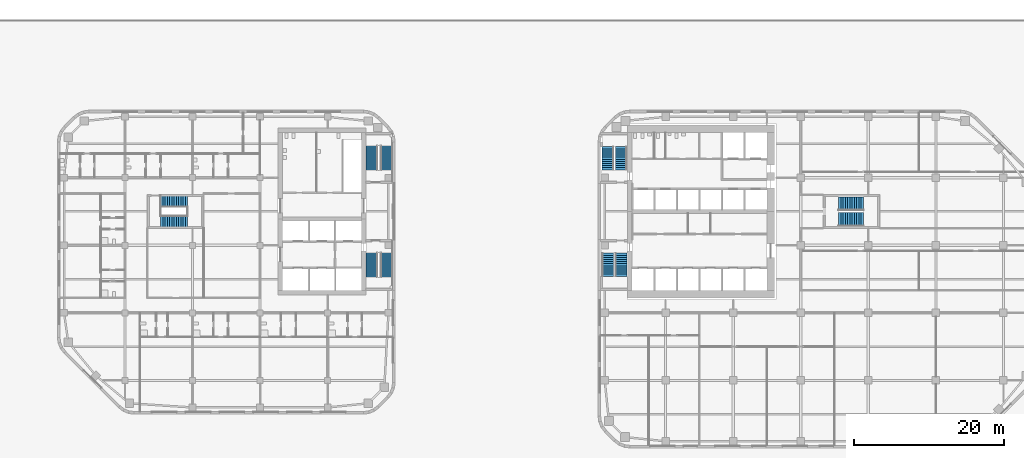
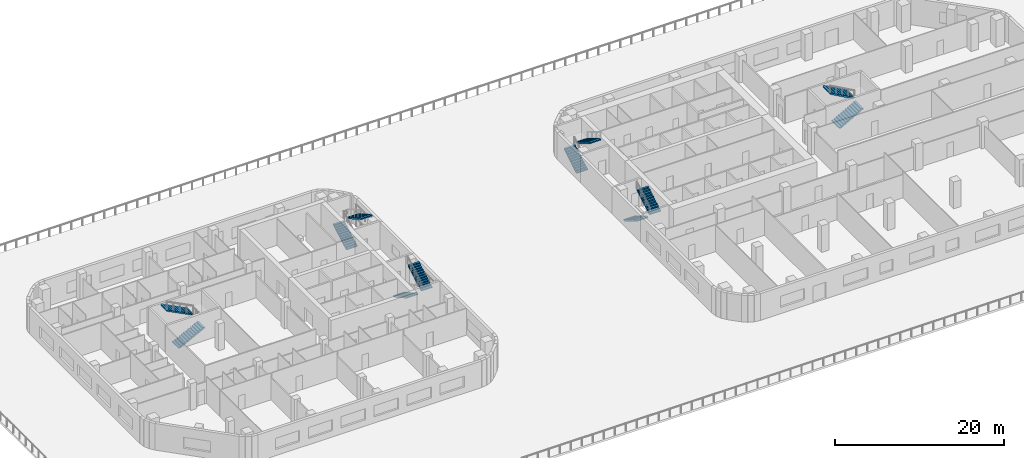
# One storey, part 13 of 18: 12 stair flights, 6 elements without a shape of their own.
"""IFC4 building model written with IfcOpenShell, lengths in metres."""

from ifc_helpers import new_model, si_unit, direction, frame, origin, place, context, subcontext, project, spatial, polyline, outline, extrude, material, type_object, element, aggregate, save


model = new_model("IFC4")

# Units and contexts
model_context = context("Model", 3, precision=1e-05, world=origin(), true_north=direction((0.0, 1.0)))
body_context = subcontext(model_context, "Body", "Model", "MODEL_VIEW")
ifc_project = project(units=[si_unit("LENGTHUNIT", "METRE"), si_unit("AREAUNIT", "SQUARE_METRE"), si_unit("VOLUMEUNIT", "CUBIC_METRE"), si_unit("PLANEANGLEUNIT", "RADIAN"), si_unit("MASSUNIT", "GRAM", prefix="KILO")], contexts=[model_context])

# Site, building, storey
site_placement = place(None, origin())
site = spatial("IfcSite", under=ifc_project, at=site_placement, CompositionType="ELEMENT")
building_placement = place(site_placement, origin())
building = spatial("IfcBuilding", under=site, at=building_placement, Name="Cinnabar Reach Civic Tower", CompositionType="ELEMENT")
storey_placement = place(building_placement, frame((0.0, 0.0, 26.0)))
storey = spatial("IfcBuildingStorey", under=building, at=storey_placement, Name="L05", CompositionType="ELEMENT", Elevation=26.0)

# Stair, stair flights
ifc_material_1 = material(Name="Concrete C40/50", Category="concrete")
stair_type_1 = type_object("IfcStairType", Name="T1 Exit stair, half-turn", PredefinedType="HALF_TURN_STAIR", material=ifc_material_1)
stair_1_placement = place(storey_placement, origin())
stair_1 = element("IfcStair", 1, at=stair_1_placement, inside=storey, type_object=stair_type_1, Name="Stair T1-S1", PredefinedType="HALF_TURN_STAIR")
stair_flight_type_1 = type_object("IfcStairFlightType", Name="T1 Stair flight, concrete", PredefinedType="STRAIGHT", material=ifc_material_1)
stair_flight_1_placement = place(storey_placement, frame((1.3125, 25.95, 0.0), z_axis=(0.0, 0.0, 1.0), x_axis=(0.0, -1.0, 0.0)))
stair_flight_1 = element("IfcStairFlight", 2, at=stair_flight_1_placement, type_object=stair_flight_type_1, Name="T1-S1 flight 1", NumberOfRisers=12, NumberOfTreads=11, PredefinedType="STRAIGHT", RiserHeight=0.166666667, TreadLength=0.28, context=body_context, shape_type="SweptSolid", body=[
    extrude(outline(polyline([(0.0, 0.0), (0.0, 0.1667), (0.28, 0.1667), (0.28, 0.3333), (0.56, 0.3333), (0.56, 0.5), (0.84, 0.5), (0.84, 0.6667), (1.12, 0.6667), (1.12, 0.8333), (1.4, 0.8333), (1.4, 1.0), (1.68, 1.0), (1.68, 1.1667), (1.96, 1.1667), (1.96, 1.3333), (2.24, 1.3333), (2.24, 1.5), (2.52, 1.5), (2.52, 1.6667), (2.8, 1.6667), (2.8, 1.8333), (3.08, 1.8333), (3.08, 2.0), (3.08, 1.6588), (0.2933, 0.0), (0.0, 0.0)])), frame((0.0, 0.7625, 0.0), z_axis=(0.0, -1.0, 0.0), x_axis=(1.0, 0.0, 0.0)), (0.0, 0.0, 1.0), 1.525),
])
stair_flight_2_placement = place(storey_placement, frame((3.0875, 22.87, 2.0), z_axis=(0.0, 0.0, 1.0), x_axis=(0.0, 1.0, 0.0)))
stair_flight_2 = element("IfcStairFlight", 3, at=stair_flight_2_placement, type_object=stair_flight_type_1, Name="T1-S1 flight 2", NumberOfRisers=12, NumberOfTreads=11, PredefinedType="STRAIGHT", RiserHeight=0.166666667, TreadLength=0.28, context=body_context, shape_type="SweptSolid", body=[
    extrude(outline(polyline([(0.0, 0.0), (0.0, 0.1667), (0.28, 0.1667), (0.28, 0.3333), (0.56, 0.3333), (0.56, 0.5), (0.84, 0.5), (0.84, 0.6667), (1.12, 0.6667), (1.12, 0.8333), (1.4, 0.8333), (1.4, 1.0), (1.68, 1.0), (1.68, 1.1667), (1.96, 1.1667), (1.96, 1.3333), (2.24, 1.3333), (2.24, 1.5), (2.52, 1.5), (2.52, 1.6667), (2.8, 1.6667), (2.8, 1.8333), (3.08, 1.8333), (3.08, 2.0), (3.08, 1.6588), (0.2933, 0.0), (0.0, 0.0)])), frame((0.0, 0.7625, 0.0), z_axis=(0.0, -1.0, 0.0), x_axis=(1.0, 0.0, 0.0)), (0.0, 0.0, 1.0), 1.525),
])
aggregate(stair_1, [stair_flight_1, stair_flight_2])

stair_2_placement = place(storey_placement, origin())
stair_2 = element("IfcStair", 4, at=stair_2_placement, inside=storey, type_object=stair_type_1, Name="Stair T1-S2", PredefinedType="HALF_TURN_STAIR")
stair_flight_3_placement = place(storey_placement, frame((1.3125, 37.05, 0.0), z_axis=(0.0, 0.0, 1.0), x_axis=(0.0, 1.0, 0.0)))
stair_flight_3 = element("IfcStairFlight", 5, at=stair_flight_3_placement, type_object=stair_flight_type_1, Name="T1-S2 flight 1", NumberOfRisers=12, NumberOfTreads=11, PredefinedType="STRAIGHT", RiserHeight=0.166666667, TreadLength=0.28, context=body_context, shape_type="SweptSolid", body=[
    extrude(outline(polyline([(0.0, 0.0), (0.0, 0.1667), (0.28, 0.1667), (0.28, 0.3333), (0.56, 0.3333), (0.56, 0.5), (0.84, 0.5), (0.84, 0.6667), (1.12, 0.6667), (1.12, 0.8333), (1.4, 0.8333), (1.4, 1.0), (1.68, 1.0), (1.68, 1.1667), (1.96, 1.1667), (1.96, 1.3333), (2.24, 1.3333), (2.24, 1.5), (2.52, 1.5), (2.52, 1.6667), (2.8, 1.6667), (2.8, 1.8333), (3.08, 1.8333), (3.08, 2.0), (3.08, 1.6588), (0.2933, 0.0), (0.0, 0.0)])), frame((0.0, 0.7625, 0.0), z_axis=(0.0, -1.0, 0.0), x_axis=(1.0, 0.0, 0.0)), (0.0, 0.0, 1.0), 1.525),
])
stair_flight_4_placement = place(storey_placement, frame((3.0875, 40.13, 2.0), z_axis=(0.0, 0.0, 1.0), x_axis=(0.0, -1.0, 0.0)))
stair_flight_4 = element("IfcStairFlight", 6, at=stair_flight_4_placement, type_object=stair_flight_type_1, Name="T1-S2 flight 2", NumberOfRisers=12, NumberOfTreads=11, PredefinedType="STRAIGHT", RiserHeight=0.166666667, TreadLength=0.28, context=body_context, shape_type="SweptSolid", body=[
    extrude(outline(polyline([(0.0, 0.0), (0.0, 0.1667), (0.28, 0.1667), (0.28, 0.3333), (0.56, 0.3333), (0.56, 0.5), (0.84, 0.5), (0.84, 0.6667), (1.12, 0.6667), (1.12, 0.8333), (1.4, 0.8333), (1.4, 1.0), (1.68, 1.0), (1.68, 1.1667), (1.96, 1.1667), (1.96, 1.3333), (2.24, 1.3333), (2.24, 1.5), (2.52, 1.5), (2.52, 1.6667), (2.8, 1.6667), (2.8, 1.8333), (3.08, 1.8333), (3.08, 2.0), (3.08, 1.6588), (0.2933, 0.0), (0.0, 0.0)])), frame((0.0, 0.7625, 0.0), z_axis=(0.0, -1.0, 0.0), x_axis=(1.0, 0.0, 0.0)), (0.0, 0.0, 1.0), 1.525),
])
aggregate(stair_2, [stair_flight_3, stair_flight_4])

stair_3_placement = place(storey_placement, origin())
stair_3 = element("IfcStair", 7, at=stair_3_placement, inside=storey, type_object=stair_type_1, Name="Stair T1-S3", PredefinedType="HALF_TURN_STAIR")
stair_flight_5_placement = place(storey_placement, frame((32.05, 30.45, 0.0), z_axis=(0.0, 0.0, 1.0), x_axis=(1.0, 0.0, 0.0)))
stair_flight_5 = element("IfcStairFlight", 8, at=stair_flight_5_placement, type_object=stair_flight_type_1, Name="T1-S3 flight 1", NumberOfRisers=12, NumberOfTreads=11, PredefinedType="STRAIGHT", RiserHeight=0.166666667, TreadLength=0.3, context=body_context, shape_type="SweptSolid", body=[
    extrude(outline(polyline([(0.0, 0.0), (0.0, 0.1667), (0.3, 0.1667), (0.3, 0.3333), (0.6, 0.3333), (0.6, 0.5), (0.9, 0.5), (0.9, 0.6667), (1.2, 0.6667), (1.2, 0.8333), (1.5, 0.8333), (1.5, 1.0), (1.8, 1.0), (1.8, 1.1667), (2.1, 1.1667), (2.1, 1.3333), (2.4, 1.3333), (2.4, 1.5), (2.7, 1.5), (2.7, 1.6667), (3.0, 1.6667), (3.0, 1.8333), (3.3, 1.8333), (3.3, 2.0), (3.3, 1.6617), (0.3089, 0.0), (0.0, 0.0)])), frame((0.0, 0.9, 0.0), z_axis=(0.0, -1.0, 0.0), x_axis=(1.0, 0.0, 0.0)), (0.0, 0.0, 1.0), 1.8),
])
stair_flight_6_placement = place(storey_placement, frame((35.35, 32.55, 2.0), z_axis=(0.0, 0.0, 1.0), x_axis=(-1.0, 0.0, 0.0)))
stair_flight_6 = element("IfcStairFlight", 9, at=stair_flight_6_placement, type_object=stair_flight_type_1, Name="T1-S3 flight 2", NumberOfRisers=12, NumberOfTreads=11, PredefinedType="STRAIGHT", RiserHeight=0.166666667, TreadLength=0.3, context=body_context, shape_type="SweptSolid", body=[
    extrude(outline(polyline([(0.0, 0.0), (0.0, 0.1667), (0.3, 0.1667), (0.3, 0.3333), (0.6, 0.3333), (0.6, 0.5), (0.9, 0.5), (0.9, 0.6667), (1.2, 0.6667), (1.2, 0.8333), (1.5, 0.8333), (1.5, 1.0), (1.8, 1.0), (1.8, 1.1667), (2.1, 1.1667), (2.1, 1.3333), (2.4, 1.3333), (2.4, 1.5), (2.7, 1.5), (2.7, 1.6667), (3.0, 1.6667), (3.0, 1.8333), (3.3, 1.8333), (3.3, 2.0), (3.3, 1.6617), (0.3089, 0.0), (0.0, 0.0)])), frame((0.0, 0.9, 0.0), z_axis=(0.0, -1.0, 0.0), x_axis=(1.0, 0.0, 0.0)), (0.0, 0.0, 1.0), 1.8),
])
aggregate(stair_3, [stair_flight_5, stair_flight_6])

ifc_material_2 = material(Name="Concrete C40", Category="concrete")
stair_type_2 = type_object("IfcStairType", Name="T2 Exit stair 1500", PredefinedType="HALF_TURN_STAIR", material=ifc_material_2)
stair_4_placement = place(storey_placement, origin())
stair_4 = element("IfcStair", 10, at=stair_4_placement, inside=storey, type_object=stair_type_2, Name="Exit stair 1", PredefinedType="HALF_TURN_STAIR")
stair_flight_type_2 = type_object("IfcStairFlightType", Name="T2 Stair flight 1500", PredefinedType="STRAIGHT", material=ifc_material_2)
stair_flight_7_placement = place(storey_placement, frame((-30.15, 26.0, 0.0), z_axis=(0.0, 0.0, 1.0), x_axis=(0.0, -1.0, 0.0)))
stair_flight_7 = element("IfcStairFlight", 11, at=stair_flight_7_placement, type_object=stair_flight_type_2, Name="ST1 flight 1", NumberOfRisers=13, NumberOfTreads=12, PredefinedType="STRAIGHT", RiserHeight=0.153846154, TreadLength=0.270833333, context=body_context, shape_type="SweptSolid", body=[
    extrude(outline(polyline([(0.0, 0.0), (0.0, 0.1538), (0.2708, 0.1538), (0.2708, 0.3077), (0.5417, 0.3077), (0.5417, 0.4615), (0.8125, 0.4615), (0.8125, 0.6154), (1.0833, 0.6154), (1.0833, 0.7692), (1.3542, 0.7692), (1.3542, 0.9231), (1.625, 0.9231), (1.625, 1.0769), (1.8958, 1.0769), (1.8958, 1.2308), (2.1667, 1.2308), (2.1667, 1.3846), (2.4375, 1.3846), (2.4375, 1.5385), (2.7083, 1.5385), (2.7083, 1.6923), (2.9792, 1.6923), (2.9792, 1.8462), (3.25, 1.8462), (3.25, 2.0), (3.25, 1.6736), (0.3037, 0.0), (0.0, 0.0)])), frame((0.0, 0.75, 0.0), z_axis=(0.0, -1.0, 0.0), x_axis=(1.0, 0.0, 0.0)), (0.0, 0.0, 1.0), 1.5),
])
stair_flight_8_placement = place(storey_placement, frame((-28.15, 22.75, 2.0), z_axis=(0.0, 0.0, 1.0), x_axis=(0.0, 1.0, 0.0)))
stair_flight_8 = element("IfcStairFlight", 12, at=stair_flight_8_placement, type_object=stair_flight_type_2, Name="ST1 flight 2", NumberOfRisers=13, NumberOfTreads=12, PredefinedType="STRAIGHT", RiserHeight=0.153846154, TreadLength=0.270833333, context=body_context, shape_type="SweptSolid", body=[
    extrude(outline(polyline([(0.0, 0.0), (0.0, 0.1538), (0.2708, 0.1538), (0.2708, 0.3077), (0.5417, 0.3077), (0.5417, 0.4615), (0.8125, 0.4615), (0.8125, 0.6154), (1.0833, 0.6154), (1.0833, 0.7692), (1.3542, 0.7692), (1.3542, 0.9231), (1.625, 0.9231), (1.625, 1.0769), (1.8958, 1.0769), (1.8958, 1.2308), (2.1667, 1.2308), (2.1667, 1.3846), (2.4375, 1.3846), (2.4375, 1.5385), (2.7083, 1.5385), (2.7083, 1.6923), (2.9792, 1.6923), (2.9792, 1.8462), (3.25, 1.8462), (3.25, 2.0), (3.25, 1.6736), (0.3037, 0.0), (0.0, 0.0)])), frame((0.0, 0.75, 0.0), z_axis=(0.0, -1.0, 0.0), x_axis=(1.0, 0.0, 0.0)), (0.0, 0.0, 1.0), 1.5),
])
aggregate(stair_4, [stair_flight_7, stair_flight_8])

stair_5_placement = place(storey_placement, origin())
stair_5 = element("IfcStair", 13, at=stair_5_placement, inside=storey, type_object=stair_type_2, Name="Exit stair 2", PredefinedType="HALF_TURN_STAIR")
stair_flight_9_placement = place(storey_placement, frame((-30.15, 37.0, 0.0), z_axis=(0.0, 0.0, 1.0), x_axis=(0.0, 1.0, 0.0)))
stair_flight_9 = element("IfcStairFlight", 14, at=stair_flight_9_placement, type_object=stair_flight_type_2, Name="ST2 flight 1", NumberOfRisers=13, NumberOfTreads=12, PredefinedType="STRAIGHT", RiserHeight=0.153846154, TreadLength=0.270833333, context=body_context, shape_type="SweptSolid", body=[
    extrude(outline(polyline([(0.0, 0.0), (0.0, 0.1538), (0.2708, 0.1538), (0.2708, 0.3077), (0.5417, 0.3077), (0.5417, 0.4615), (0.8125, 0.4615), (0.8125, 0.6154), (1.0833, 0.6154), (1.0833, 0.7692), (1.3542, 0.7692), (1.3542, 0.9231), (1.625, 0.9231), (1.625, 1.0769), (1.8958, 1.0769), (1.8958, 1.2308), (2.1667, 1.2308), (2.1667, 1.3846), (2.4375, 1.3846), (2.4375, 1.5385), (2.7083, 1.5385), (2.7083, 1.6923), (2.9792, 1.6923), (2.9792, 1.8462), (3.25, 1.8462), (3.25, 2.0), (3.25, 1.6736), (0.3037, 0.0), (0.0, 0.0)])), frame((0.0, 0.75, 0.0), z_axis=(0.0, -1.0, 0.0), x_axis=(1.0, 0.0, 0.0)), (0.0, 0.0, 1.0), 1.5),
])
stair_flight_10_placement = place(storey_placement, frame((-28.15, 40.25, 2.0), z_axis=(0.0, 0.0, 1.0), x_axis=(0.0, -1.0, 0.0)))
stair_flight_10 = element("IfcStairFlight", 15, at=stair_flight_10_placement, type_object=stair_flight_type_2, Name="ST2 flight 2", NumberOfRisers=13, NumberOfTreads=12, PredefinedType="STRAIGHT", RiserHeight=0.153846154, TreadLength=0.270833333, context=body_context, shape_type="SweptSolid", body=[
    extrude(outline(polyline([(0.0, 0.0), (0.0, 0.1538), (0.2708, 0.1538), (0.2708, 0.3077), (0.5417, 0.3077), (0.5417, 0.4615), (0.8125, 0.4615), (0.8125, 0.6154), (1.0833, 0.6154), (1.0833, 0.7692), (1.3542, 0.7692), (1.3542, 0.9231), (1.625, 0.9231), (1.625, 1.0769), (1.8958, 1.0769), (1.8958, 1.2308), (2.1667, 1.2308), (2.1667, 1.3846), (2.4375, 1.3846), (2.4375, 1.5385), (2.7083, 1.5385), (2.7083, 1.6923), (2.9792, 1.6923), (2.9792, 1.8462), (3.25, 1.8462), (3.25, 2.0), (3.25, 1.6736), (0.3037, 0.0), (0.0, 0.0)])), frame((0.0, 0.75, 0.0), z_axis=(0.0, -1.0, 0.0), x_axis=(1.0, 0.0, 0.0)), (0.0, 0.0, 1.0), 1.5),
])
aggregate(stair_5, [stair_flight_9, stair_flight_10])

stair_6_placement = place(storey_placement, origin())
stair_6 = element("IfcStair", 16, at=stair_6_placement, inside=storey, type_object=stair_type_2, Name="Exit stair 3", PredefinedType="HALF_TURN_STAIR")
stair_flight_11_placement = place(storey_placement, frame((-58.25, 30.125, 0.0), z_axis=(0.0, 0.0, 1.0), x_axis=(1.0, 0.0, 0.0)))
stair_flight_11 = element("IfcStairFlight", 17, at=stair_flight_11_placement, type_object=stair_flight_type_2, Name="ST3 flight 1", NumberOfRisers=13, NumberOfTreads=12, PredefinedType="STRAIGHT", RiserHeight=0.153846154, TreadLength=0.3, context=body_context, shape_type="SweptSolid", body=[
    extrude(outline(polyline([(0.0, 0.0), (0.0, 0.1538), (0.3, 0.1538), (0.3, 0.3077), (0.6, 0.3077), (0.6, 0.4615), (0.9, 0.4615), (0.9, 0.6154), (1.2, 0.6154), (1.2, 0.7692), (1.5, 0.7692), (1.5, 0.9231), (1.8, 0.9231), (1.8, 1.0769), (2.1, 1.0769), (2.1, 1.2308), (2.4, 1.2308), (2.4, 1.3846), (2.7, 1.3846), (2.7, 1.5385), (3.0, 1.5385), (3.0, 1.6923), (3.3, 1.6923), (3.3, 1.8462), (3.6, 1.8462), (3.6, 2.0), (3.6, 1.6776), (0.3287, 0.0), (0.0, 0.0)])), frame((0.0, 0.75, 0.0), z_axis=(0.0, -1.0, 0.0), x_axis=(1.0, 0.0, 0.0)), (0.0, 0.0, 1.0), 1.5),
])
stair_flight_12_placement = place(storey_placement, frame((-54.65, 32.875, 2.0), z_axis=(0.0, 0.0, 1.0), x_axis=(-1.0, 0.0, 0.0)))
stair_flight_12 = element("IfcStairFlight", 18, at=stair_flight_12_placement, type_object=stair_flight_type_2, Name="ST3 flight 2", NumberOfRisers=13, NumberOfTreads=12, PredefinedType="STRAIGHT", RiserHeight=0.153846154, TreadLength=0.3, context=body_context, shape_type="SweptSolid", body=[
    extrude(outline(polyline([(0.0, 0.0), (0.0, 0.1538), (0.3, 0.1538), (0.3, 0.3077), (0.6, 0.3077), (0.6, 0.4615), (0.9, 0.4615), (0.9, 0.6154), (1.2, 0.6154), (1.2, 0.7692), (1.5, 0.7692), (1.5, 0.9231), (1.8, 0.9231), (1.8, 1.0769), (2.1, 1.0769), (2.1, 1.2308), (2.4, 1.2308), (2.4, 1.3846), (2.7, 1.3846), (2.7, 1.5385), (3.0, 1.5385), (3.0, 1.6923), (3.3, 1.6923), (3.3, 1.8462), (3.6, 1.8462), (3.6, 2.0), (3.6, 1.6776), (0.3287, 0.0), (0.0, 0.0)])), frame((0.0, 0.75, 0.0), z_axis=(0.0, -1.0, 0.0), x_axis=(1.0, 0.0, 0.0)), (0.0, 0.0, 1.0), 1.5),
])
aggregate(stair_6, [stair_flight_11, stair_flight_12])

save(model, "model.ifc")
